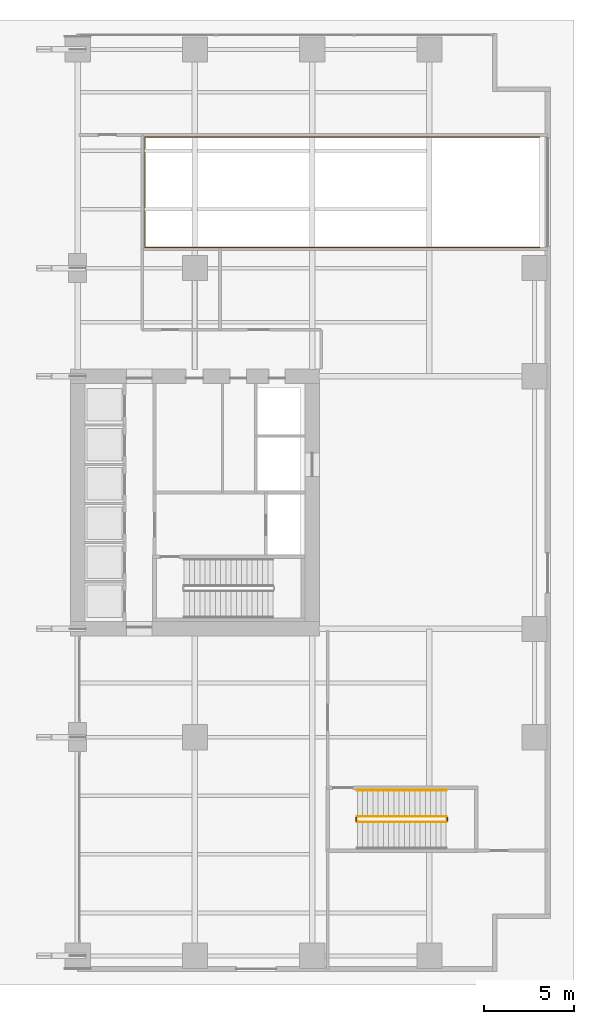
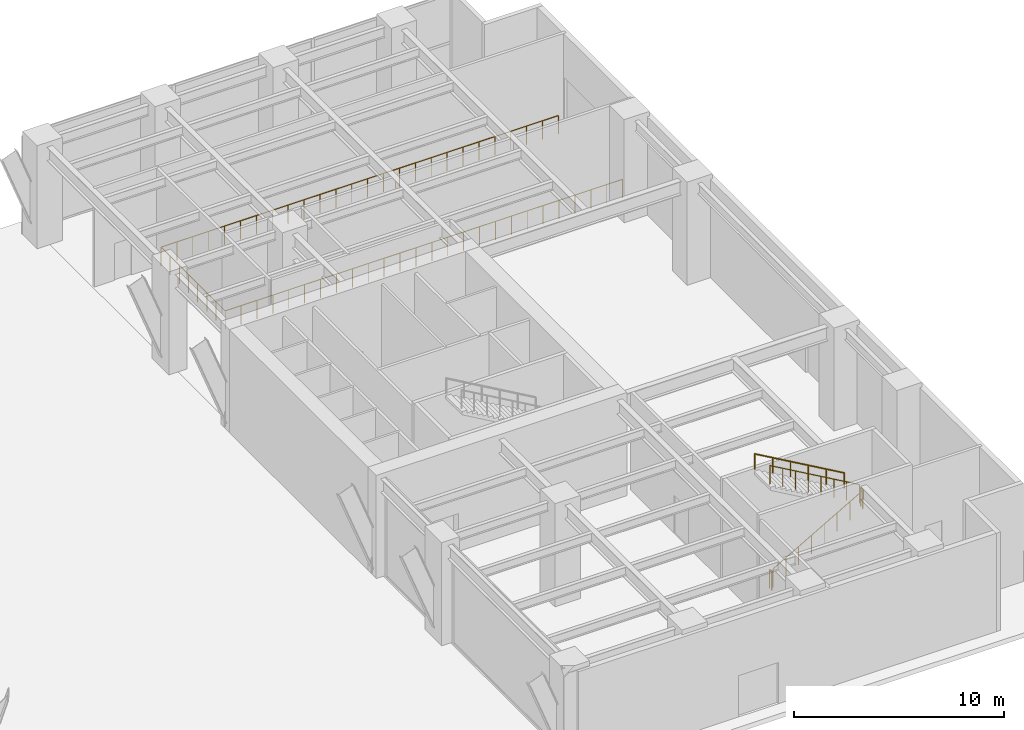
# One storey, part 19 of 20: 6 railings.
"""IFC4 building model written with IfcOpenShell, lengths in metres."""

from ifc_helpers import new_model, si_unit, direction, frame, origin, origin_2d, place, context, subcontext, project, spatial, circle, extrude, material, type_object, element, save


model = new_model("IFC4")

# Units and contexts
model_context = context("Model", 3, precision=1e-05, world=origin(), true_north=direction((0.0, 1.0)))
body_context = subcontext(model_context, "Body", "Model", "MODEL_VIEW")
ifc_project = project(units=[si_unit("LENGTHUNIT", "METRE"), si_unit("AREAUNIT", "SQUARE_METRE"), si_unit("VOLUMEUNIT", "CUBIC_METRE"), si_unit("PLANEANGLEUNIT", "RADIAN"), si_unit("MASSUNIT", "GRAM", prefix="KILO")], contexts=[model_context])

# Site, building, storey
site_placement = place(None, origin())
site = spatial("IfcSite", under=ifc_project, at=site_placement, CompositionType="ELEMENT")
building_placement = place(site_placement, origin())
building = spatial("IfcBuilding", under=site, at=building_placement, Name="Putna Gate Headquarters", CompositionType="ELEMENT")
storey_placement = place(building_placement, origin())
storey = spatial("IfcBuildingStorey", under=building, at=storey_placement, Name="L00", CompositionType="ELEMENT", Elevation=0.0)

# Railings
ifc_material_1 = material(Name="Powder-coated steel stair guardrail", Category="steel")
railing_type_1 = type_object("IfcRailingType", Name="RAIL-STAIR-GUARD-1100", PredefinedType="GUARDRAIL", material=ifc_material_1)
railing_1_placement = place(storey_placement, frame((67.5, 8.300048828125, 0.166748046875)))
element("IfcRailing", 1, at=railing_1_placement, inside=storey, type_object=railing_type_1, Name="L00 ST3 stair guard 1", PredefinedType="GUARDRAIL", context=body_context, shape_type="SweptSolid", body=[
    extrude(circle(Radius=0.02392578125, at=origin_2d()), frame((0.0, 0.0, 1.076171875), z_axis=(0.867017142139, 0.0, 0.498278311025), x_axis=(0.0, 1.0, 0.0)), (0.0, 0.0, 1.0), 5.68603515625),
    extrude(circle(Radius=0.02099609375, at=origin_2d()), origin(), (0.0, 0.0, 1.0), 1.052001953125),
    extrude(circle(Radius=0.02099609375, at=origin_2d()), frame((0.704345703125, 0.0, 0.40478515625)), (0.0, 0.0, 1.0), 1.052001953125),
    extrude(circle(Radius=0.02099609375, at=origin_2d()), frame((1.408447265625, 0.0, 0.8095703125)), (0.0, 0.0, 1.0), 1.052001953125),
    extrude(circle(Radius=0.02099609375, at=origin_2d()), frame((2.11279296875, 0.0, 1.21435546875)), (0.0, 0.0, 1.0), 1.052001953125),
    extrude(circle(Radius=0.02099609375, at=origin_2d()), frame((2.817138671875, 0.0, 1.618896484375)), (0.0, 0.0, 1.0), 1.052001953125),
    extrude(circle(Radius=0.02099609375, at=origin_2d()), frame((3.521484375, 0.0, 2.023681640625)), (0.0, 0.0, 1.0), 1.052001953125),
    extrude(circle(Radius=0.02099609375, at=origin_2d()), frame((4.2255859375, 0.0, 2.428466796875)), (0.0, 0.0, 1.0), 1.052001953125),
    extrude(circle(Radius=0.02099609375, at=origin_2d()), frame((4.929931640625, 0.0, 2.833251953125)), (0.0, 0.0, 1.0), 1.052001953125),
])
railing_2_placement = place(storey_placement, frame((72.47998046875, 8.35009765625, 3.0)))
element("IfcRailing", 2, at=railing_2_placement, inside=storey, type_object=railing_type_1, Name="L00 ST3 stair guard 2", PredefinedType="GUARDRAIL", context=body_context, shape_type="SweptSolid", body=[
    extrude(circle(Radius=0.02392578125, at=origin_2d()), frame((0.0, 0.0, 1.076171875), z_axis=(0.0, 1.0, 0.0), x_axis=(-1.0, 0.0, 0.0)), (0.0, 0.0, 1.0), 0.199951171875),
    extrude(circle(Radius=0.02099609375, at=origin_2d()), origin(), (0.0, 0.0, 1.0), 1.052001953125),
    extrude(circle(Radius=0.02099609375, at=origin_2d()), frame((0.0, 0.199951171875, 0.0)), (0.0, 0.0, 1.0), 1.052001953125),
])
railing_3_placement = place(storey_placement, frame((72.429931640625, 8.60009765625, 3.166748046875)))
element("IfcRailing", 3, at=railing_3_placement, inside=storey, type_object=railing_type_1, Name="L00 ST3 stair guard 3", PredefinedType="GUARDRAIL", context=body_context, shape_type="SweptSolid", body=[
    extrude(circle(Radius=0.02392578125, at=origin_2d()), frame((0.0, 0.0, 1.076171875), z_axis=(-0.867017142139, 0.0, 0.498278311025), x_axis=(0.0, -1.0, 0.0)), (0.0, 0.0, 1.0), 5.68603515625),
    extrude(circle(Radius=0.02099609375, at=origin_2d()), origin(), (0.0, 0.0, 1.0), 1.052001953125),
    extrude(circle(Radius=0.02099609375, at=origin_2d()), frame((-0.704345703125, 0.0, 0.40478515625)), (0.0, 0.0, 1.0), 1.052001953125),
    extrude(circle(Radius=0.02099609375, at=origin_2d()), frame((-1.408447265625, 0.0, 0.8095703125)), (0.0, 0.0, 1.0), 1.052001953125),
    extrude(circle(Radius=0.02099609375, at=origin_2d()), frame((-2.11279296875, 0.0, 1.21435546875)), (0.0, 0.0, 1.0), 1.052001953125),
    extrude(circle(Radius=0.02099609375, at=origin_2d()), frame((-2.817138671875, 0.0, 1.618896484375)), (0.0, 0.0, 1.0), 1.052001953125),
    extrude(circle(Radius=0.02099609375, at=origin_2d()), frame((-3.521484375, 0.0, 2.023681640625)), (0.0, 0.0, 1.0), 1.052001953125),
    extrude(circle(Radius=0.02099609375, at=origin_2d()), frame((-4.2255859375, 0.0, 2.428466796875)), (0.0, 0.0, 1.0), 1.052001953125),
    extrude(circle(Radius=0.02099609375, at=origin_2d()), frame((-4.929931640625, 0.0, 2.833251953125)), (0.0, 0.0, 1.0), 1.052001953125),
])
railing_4_placement = place(storey_placement, frame((67.449951171875, 8.35009765625, 0.0)))
element("IfcRailing", 4, at=railing_4_placement, inside=storey, type_object=railing_type_1, Name="L00 ST3 stair guard 4", PredefinedType="GUARDRAIL", context=body_context, shape_type="SweptSolid", body=[
    extrude(circle(Radius=0.02392578125, at=origin_2d()), frame((0.0, 0.0, 1.076171875), z_axis=(0.0, 1.0, 0.0), x_axis=(-1.0, 0.0, 0.0)), (0.0, 0.0, 1.0), 0.199951171875),
    extrude(circle(Radius=0.02099609375, at=origin_2d()), origin(), (0.0, 0.0, 1.0), 1.052001953125),
    extrude(circle(Radius=0.02099609375, at=origin_2d()), frame((0.0, 0.199951171875, 0.0)), (0.0, 0.0, 1.0), 1.052001953125),
])
railing_5_placement = place(storey_placement, frame((77.60009765625, 40.139892578125, 0.0)))
element("IfcRailing", 5, at=railing_5_placement, inside=storey, type_object=railing_type_1, Name="L00 Vehicle Ramp Well Guardrail", PredefinedType="GUARDRAIL", context=body_context, shape_type="SweptSolid", body=[
    extrude(circle(Radius=0.02392578125, at=origin_2d()), frame((0.0, 0.0, 1.076171875), z_axis=(-1.0, 0.0, 0.0), x_axis=(0.0, -1.0, 0.0)), (0.0, 0.0, 1.0), 21.880126953125),
    extrude(circle(Radius=0.02392578125, at=origin_2d()), frame((-21.880126953125, 0.0, 1.076171875), z_axis=(0.0, 1.0, 0.0), x_axis=(-1.0, 0.0, 0.0)), (0.0, 0.0, 1.0), 6.1201171875),
    extrude(circle(Radius=0.02392578125, at=origin_2d()), frame((-21.880126953125, 6.1201171875, 1.076171875), z_axis=(1.0, 0.0, 0.0), x_axis=(0.0, 1.0, 0.0)), (0.0, 0.0, 1.0), 21.880126953125),
    extrude(circle(Radius=0.02099609375, at=origin_2d()), origin(), (0.0, 0.0, 1.0), 1.052001953125),
    extrude(circle(Radius=0.02099609375, at=origin_2d()), frame((-0.875244140625, 0.0, 0.0)), (0.0, 0.0, 1.0), 1.052001953125),
    extrude(circle(Radius=0.02099609375, at=origin_2d()), frame((-1.75048828125, 0.0, 0.0)), (0.0, 0.0, 1.0), 1.052001953125),
    extrude(circle(Radius=0.02099609375, at=origin_2d()), frame((-2.625732421875, 0.0, 0.0)), (0.0, 0.0, 1.0), 1.052001953125),
    extrude(circle(Radius=0.02099609375, at=origin_2d()), frame((-3.500732421875, 0.0, 0.0)), (0.0, 0.0, 1.0), 1.052001953125),
    extrude(circle(Radius=0.02099609375, at=origin_2d()), frame((-4.3759765625, 0.0, 0.0)), (0.0, 0.0, 1.0), 1.052001953125),
    extrude(circle(Radius=0.02099609375, at=origin_2d()), frame((-5.251220703125, 0.0, 0.0)), (0.0, 0.0, 1.0), 1.052001953125),
    extrude(circle(Radius=0.02099609375, at=origin_2d()), frame((-6.12646484375, 0.0, 0.0)), (0.0, 0.0, 1.0), 1.052001953125),
    extrude(circle(Radius=0.02099609375, at=origin_2d()), frame((-7.001708984375, 0.0, 0.0)), (0.0, 0.0, 1.0), 1.052001953125),
    extrude(circle(Radius=0.02099609375, at=origin_2d()), frame((-7.876953125, 0.0, 0.0)), (0.0, 0.0, 1.0), 1.052001953125),
    extrude(circle(Radius=0.02099609375, at=origin_2d()), frame((-8.751953125, 0.0, 0.0)), (0.0, 0.0, 1.0), 1.052001953125),
    extrude(circle(Radius=0.02099609375, at=origin_2d()), frame((-9.627197265625, 0.0, 0.0)), (0.0, 0.0, 1.0), 1.052001953125),
    extrude(circle(Radius=0.02099609375, at=origin_2d()), frame((-10.50244140625, 0.0, 0.0)), (0.0, 0.0, 1.0), 1.052001953125),
    extrude(circle(Radius=0.02099609375, at=origin_2d()), frame((-11.377685546875, 0.0, 0.0)), (0.0, 0.0, 1.0), 1.052001953125),
    extrude(circle(Radius=0.02099609375, at=origin_2d()), frame((-12.2529296875, 0.0, 0.0)), (0.0, 0.0, 1.0), 1.052001953125),
    extrude(circle(Radius=0.02099609375, at=origin_2d()), frame((-13.128173828125, 0.0, 0.0)), (0.0, 0.0, 1.0), 1.052001953125),
    extrude(circle(Radius=0.02099609375, at=origin_2d()), frame((-14.003173828125, 0.0, 0.0)), (0.0, 0.0, 1.0), 1.052001953125),
    extrude(circle(Radius=0.02099609375, at=origin_2d()), frame((-14.87841796875, 0.0, 0.0)), (0.0, 0.0, 1.0), 1.052001953125),
    extrude(circle(Radius=0.02099609375, at=origin_2d()), frame((-15.753662109375, 0.0, 0.0)), (0.0, 0.0, 1.0), 1.052001953125),
    extrude(circle(Radius=0.02099609375, at=origin_2d()), frame((-16.62890625, 0.0, 0.0)), (0.0, 0.0, 1.0), 1.052001953125),
    extrude(circle(Radius=0.02099609375, at=origin_2d()), frame((-17.504150390625, 0.0, 0.0)), (0.0, 0.0, 1.0), 1.052001953125),
    extrude(circle(Radius=0.02099609375, at=origin_2d()), frame((-18.37939453125, 0.0, 0.0)), (0.0, 0.0, 1.0), 1.052001953125),
    extrude(circle(Radius=0.02099609375, at=origin_2d()), frame((-19.25439453125, 0.0, 0.0)), (0.0, 0.0, 1.0), 1.052001953125),
    extrude(circle(Radius=0.02099609375, at=origin_2d()), frame((-20.129638671875, 0.0, 0.0)), (0.0, 0.0, 1.0), 1.052001953125),
    extrude(circle(Radius=0.02099609375, at=origin_2d()), frame((-21.0048828125, 0.0, 0.0)), (0.0, 0.0, 1.0), 1.052001953125),
    extrude(circle(Radius=0.02099609375, at=origin_2d()), frame((-21.880126953125, 0.0, 0.0)), (0.0, 0.0, 1.0), 1.052001953125),
    extrude(circle(Radius=0.02099609375, at=origin_2d()), frame((-21.880126953125, 0.874267578125, 0.0)), (0.0, 0.0, 1.0), 1.052001953125),
    extrude(circle(Radius=0.02099609375, at=origin_2d()), frame((-21.880126953125, 1.74853515625, 0.0)), (0.0, 0.0, 1.0), 1.052001953125),
    extrude(circle(Radius=0.02099609375, at=origin_2d()), frame((-21.880126953125, 2.622802734375, 0.0)), (0.0, 0.0, 1.0), 1.052001953125),
    extrude(circle(Radius=0.02099609375, at=origin_2d()), frame((-21.880126953125, 3.497314453125, 0.0)), (0.0, 0.0, 1.0), 1.052001953125),
    extrude(circle(Radius=0.02099609375, at=origin_2d()), frame((-21.880126953125, 4.37158203125, 0.0)), (0.0, 0.0, 1.0), 1.052001953125),
    extrude(circle(Radius=0.02099609375, at=origin_2d()), frame((-21.880126953125, 5.245849609375, 0.0)), (0.0, 0.0, 1.0), 1.052001953125),
    extrude(circle(Radius=0.02099609375, at=origin_2d()), frame((-21.880126953125, 6.1201171875, 0.0)), (0.0, 0.0, 1.0), 1.052001953125),
    extrude(circle(Radius=0.02099609375, at=origin_2d()), frame((-21.0048828125, 6.1201171875, 0.0)), (0.0, 0.0, 1.0), 1.052001953125),
    extrude(circle(Radius=0.02099609375, at=origin_2d()), frame((-20.129638671875, 6.1201171875, 0.0)), (0.0, 0.0, 1.0), 1.052001953125),
    extrude(circle(Radius=0.02099609375, at=origin_2d()), frame((-19.25439453125, 6.1201171875, 0.0)), (0.0, 0.0, 1.0), 1.052001953125),
    extrude(circle(Radius=0.02099609375, at=origin_2d()), frame((-18.37939453125, 6.1201171875, 0.0)), (0.0, 0.0, 1.0), 1.052001953125),
    extrude(circle(Radius=0.02099609375, at=origin_2d()), frame((-17.504150390625, 6.1201171875, 0.0)), (0.0, 0.0, 1.0), 1.052001953125),
    extrude(circle(Radius=0.02099609375, at=origin_2d()), frame((-16.62890625, 6.1201171875, 0.0)), (0.0, 0.0, 1.0), 1.052001953125),
    extrude(circle(Radius=0.02099609375, at=origin_2d()), frame((-15.753662109375, 6.1201171875, 0.0)), (0.0, 0.0, 1.0), 1.052001953125),
    extrude(circle(Radius=0.02099609375, at=origin_2d()), frame((-14.87841796875, 6.1201171875, 0.0)), (0.0, 0.0, 1.0), 1.052001953125),
    extrude(circle(Radius=0.02099609375, at=origin_2d()), frame((-14.003173828125, 6.1201171875, 0.0)), (0.0, 0.0, 1.0), 1.052001953125),
    extrude(circle(Radius=0.02099609375, at=origin_2d()), frame((-13.128173828125, 6.1201171875, 0.0)), (0.0, 0.0, 1.0), 1.052001953125),
    extrude(circle(Radius=0.02099609375, at=origin_2d()), frame((-12.2529296875, 6.1201171875, 0.0)), (0.0, 0.0, 1.0), 1.052001953125),
    extrude(circle(Radius=0.02099609375, at=origin_2d()), frame((-11.377685546875, 6.1201171875, 0.0)), (0.0, 0.0, 1.0), 1.052001953125),
    extrude(circle(Radius=0.02099609375, at=origin_2d()), frame((-10.50244140625, 6.1201171875, 0.0)), (0.0, 0.0, 1.0), 1.052001953125),
    extrude(circle(Radius=0.02099609375, at=origin_2d()), frame((-9.627197265625, 6.1201171875, 0.0)), (0.0, 0.0, 1.0), 1.052001953125),
    extrude(circle(Radius=0.02099609375, at=origin_2d()), frame((-8.751953125, 6.1201171875, 0.0)), (0.0, 0.0, 1.0), 1.052001953125),
    extrude(circle(Radius=0.02099609375, at=origin_2d()), frame((-7.876953125, 6.1201171875, 0.0)), (0.0, 0.0, 1.0), 1.052001953125),
    extrude(circle(Radius=0.02099609375, at=origin_2d()), frame((-7.001708984375, 6.1201171875, 0.0)), (0.0, 0.0, 1.0), 1.052001953125),
    extrude(circle(Radius=0.02099609375, at=origin_2d()), frame((-6.12646484375, 6.1201171875, 0.0)), (0.0, 0.0, 1.0), 1.052001953125),
    extrude(circle(Radius=0.02099609375, at=origin_2d()), frame((-5.251220703125, 6.1201171875, 0.0)), (0.0, 0.0, 1.0), 1.052001953125),
    extrude(circle(Radius=0.02099609375, at=origin_2d()), frame((-4.3759765625, 6.1201171875, 0.0)), (0.0, 0.0, 1.0), 1.052001953125),
    extrude(circle(Radius=0.02099609375, at=origin_2d()), frame((-3.500732421875, 6.1201171875, 0.0)), (0.0, 0.0, 1.0), 1.052001953125),
    extrude(circle(Radius=0.02099609375, at=origin_2d()), frame((-2.625732421875, 6.1201171875, 0.0)), (0.0, 0.0, 1.0), 1.052001953125),
    extrude(circle(Radius=0.02099609375, at=origin_2d()), frame((-1.75048828125, 6.1201171875, 0.0)), (0.0, 0.0, 1.0), 1.052001953125),
    extrude(circle(Radius=0.02099609375, at=origin_2d()), frame((-0.875244140625, 6.1201171875, 0.0)), (0.0, 0.0, 1.0), 1.052001953125),
    extrude(circle(Radius=0.02099609375, at=origin_2d()), frame((0.0, 6.1201171875, 0.0)), (0.0, 0.0, 1.0), 1.052001953125),
])
ifc_material_2 = material(Name="Brushed stainless steel handrail", Category="steel")
railing_type_2 = type_object("IfcRailingType", Name="RAIL-STAIR-HAND-900", PredefinedType="HANDRAIL", material=ifc_material_2)
railing_6_placement = place(storey_placement, frame((72.429931640625, 10.050048828125, 3.166748046875)))
element("IfcRailing", 6, at=railing_6_placement, inside=storey, type_object=railing_type_2, Name="L00 ST3 stair handrail 2", PredefinedType="HANDRAIL", context=body_context, shape_type="SweptSolid", body=[
    extrude(circle(Radius=0.02392578125, at=origin_2d()), frame((0.0, 0.0, 0.8759765625), z_axis=(-0.867017142139, 0.0, 0.498278311025), x_axis=(0.0, -1.0, 0.0)), (0.0, 0.0, 1.0), 5.68603515625),
    extrude(circle(Radius=0.02099609375, at=origin_2d()), origin(), (0.0, 0.0, 1.0), 0.851806640625),
    extrude(circle(Radius=0.02099609375, at=origin_2d()), frame((-0.986083984375, 0.0, 0.566650390625)), (0.0, 0.0, 1.0), 0.851806640625),
    extrude(circle(Radius=0.02099609375, at=origin_2d()), frame((-1.971923828125, 0.0, 1.13330078125)), (0.0, 0.0, 1.0), 0.851806640625),
    extrude(circle(Radius=0.02099609375, at=origin_2d()), frame((-2.9580078125, 0.0, 1.699951171875)), (0.0, 0.0, 1.0), 0.851806640625),
    extrude(circle(Radius=0.02099609375, at=origin_2d()), frame((-3.94384765625, 0.0, 2.2666015625)), (0.0, 0.0, 1.0), 0.851806640625),
    extrude(circle(Radius=0.02099609375, at=origin_2d()), frame((-4.929931640625, 0.0, 2.833251953125)), (0.0, 0.0, 1.0), 0.851806640625),
])

save(model, "model.ifc")
